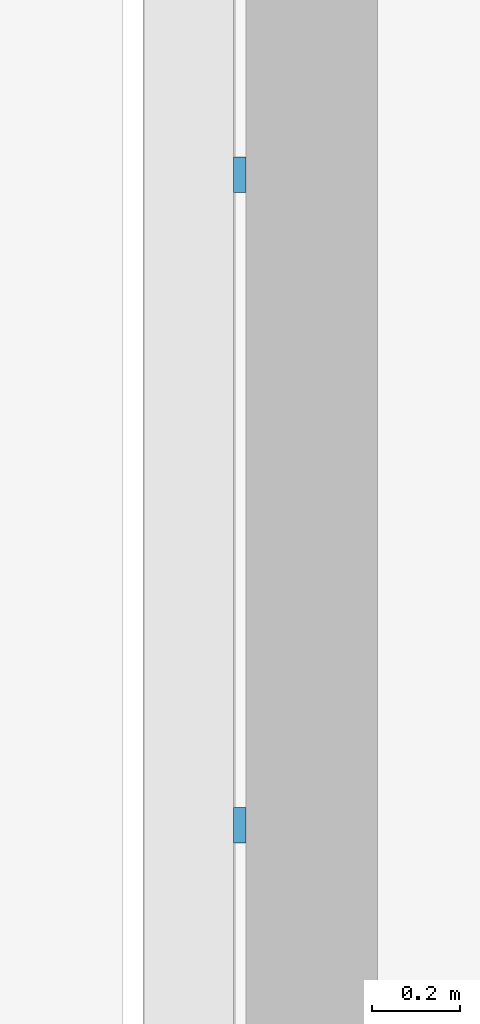
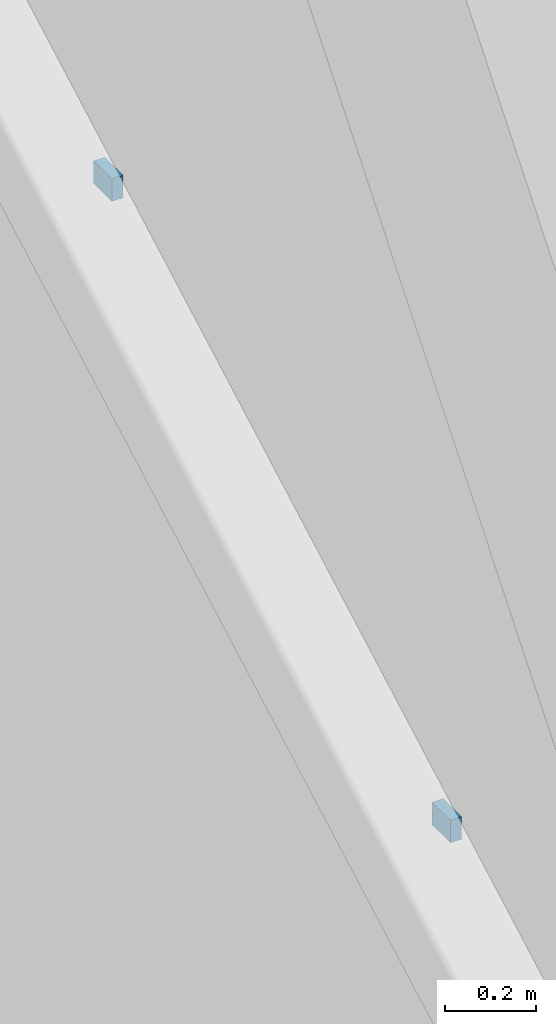
# One storey, part 87 of 127: 2 discrete accessories.
"""IFC4 building model written with IfcOpenShell, lengths in metres."""

from ifc_helpers import new_model, si_unit, direction, frame, origin, origin_2d, place, context, subcontext, project, spatial, rectangle, extrude, material, type_object, element, save


model = new_model("IFC4")

# Units and contexts
model_context = context("Model", 3, precision=1e-05, world=origin(), true_north=direction((0.0, 1.0)))
body_context = subcontext(model_context, "Body", "Model", "MODEL_VIEW")
ifc_project = project(units=[si_unit("LENGTHUNIT", "METRE"), si_unit("AREAUNIT", "SQUARE_METRE"), si_unit("VOLUMEUNIT", "CUBIC_METRE"), si_unit("PLANEANGLEUNIT", "RADIAN"), si_unit("MASSUNIT", "GRAM", prefix="KILO")], contexts=[model_context])

# Site, building, storey
site_placement = place(None, origin())
site = spatial("IfcSite", under=ifc_project, at=site_placement, CompositionType="ELEMENT")
building_placement = place(site_placement, origin())
building = spatial("IfcBuilding", under=site, at=building_placement, Name="Ljudholm Concert House", CompositionType="ELEMENT")
storey_placement = place(building_placement, origin())
storey = spatial("IfcBuildingStorey", under=building, at=storey_placement, Name="L00", CompositionType="ELEMENT", Elevation=0.0)

# Discrete accessories
ifc_material = material(Name="Stainless steel bracket", Category="steel")
discrete_accessory_type = type_object("IfcDiscreteAccessoryType", Name="PANEL BRACKET", PredefinedType="BRACKET", material=ifc_material)
for number, where, z_axis, x_axis, name in (
    (1, (54.515625, 124.257568359375, 1.731689453125), (0.0, 0.0, 1.0), (1.0, 0.0, 0.0), "Panel bracket"),
    (2, (54.515625, 125.738037109375, 2.5458984375), (0.0, 0.0, 1.0), (1.0, 0.0, 0.0), "Panel bracket"),
):
    element("IfcDiscreteAccessory", number, at=place(storey_placement, frame(where, z_axis=z_axis, x_axis=x_axis)), inside=storey, type_object=discrete_accessory_type, Name=name, PredefinedType="BRACKET", context=body_context, shape_type="SweptSolid", body=[
        extrude(rectangle(XDim=0.028076171875, YDim=0.080078125, at=origin_2d()), origin(), (0.0, 0.0, 1.0), 0.06005859375),
    ])

save(model, "model.ifc")
